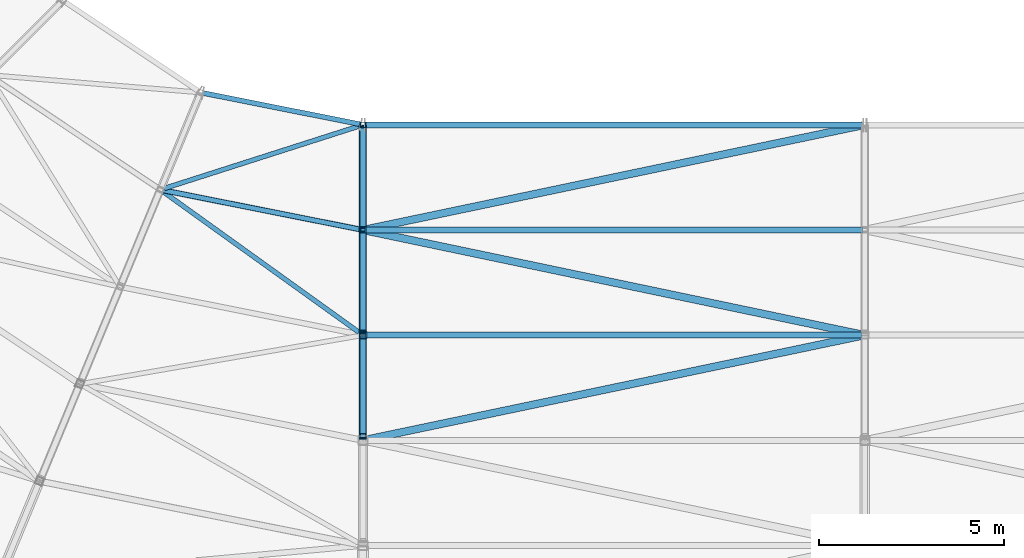
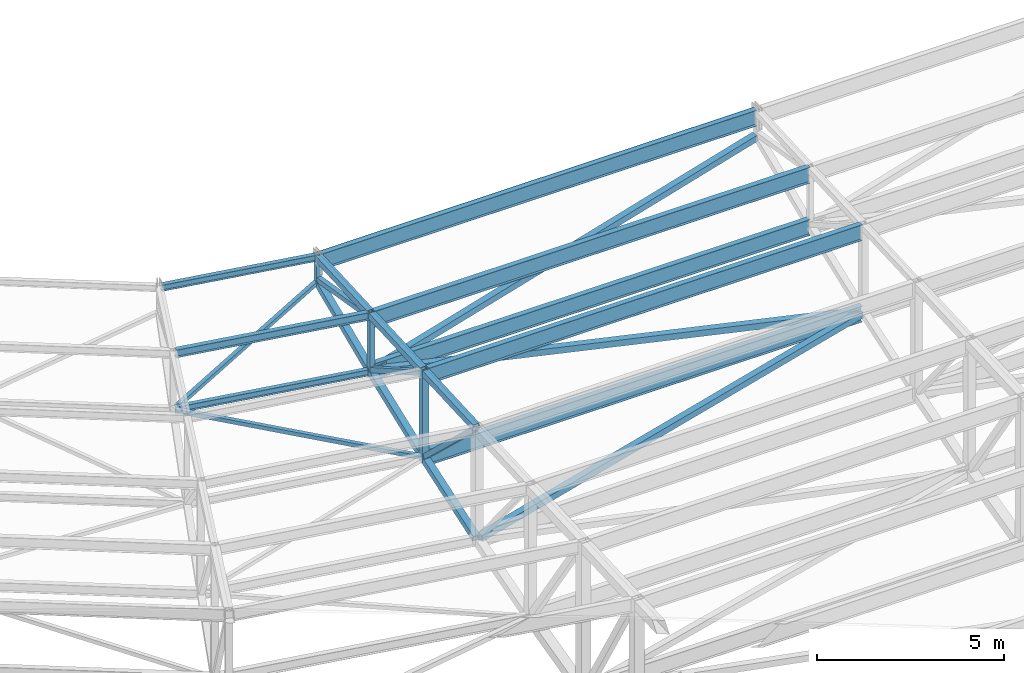
# One storey, part 16 of 278: 16 members, 9 beams.
"""IFC4 building model written with IfcOpenShell, lengths in metres."""

from ifc_helpers import new_model, si_unit, direction, frame, origin, origin_2d, place, context, subcontext, project, spatial, hollow_rectangle, i_section, extrude, material, material_profile, profile_set, type_object, element, save


model = new_model("IFC4")

# Units and contexts
model_context = context("Model", 3, precision=1e-05, world=origin(), true_north=direction((0.0, 1.0)))
body_context = subcontext(model_context, "Body", "Model", "MODEL_VIEW")
ifc_project = project(units=[si_unit("LENGTHUNIT", "METRE"), si_unit("AREAUNIT", "SQUARE_METRE"), si_unit("VOLUMEUNIT", "CUBIC_METRE"), si_unit("PLANEANGLEUNIT", "RADIAN"), si_unit("MASSUNIT", "GRAM", prefix="KILO")], contexts=[model_context])

# Site, building, storey
site_placement = place(None, origin())
site = spatial("IfcSite", under=ifc_project, at=site_placement, CompositionType="ELEMENT")
building_placement = place(site_placement, origin())
building = spatial("IfcBuilding", under=site, at=building_placement, Name="Ogive Plaza Stadium", CompositionType="ELEMENT")
storey_placement = place(building_placement, frame((0.0, 0.0, 29.0)))
storey = spatial("IfcBuildingStorey", under=building, at=storey_placement, Name="Roof", CompositionType="ELEMENT", Elevation=29.0)

# Members
ifc_material_1 = material(Name="Steel ASTM A500 Grade C", Category="steel")
ifc_material_profile_1 = material_profile(ifc_material_1, hollow_rectangle(XDim=0.126953125, YDim=0.126953125, WallThickness=0.005859375, at=origin_2d()), Name="HSS5X5X1/4")
ifc_profile_set_1 = profile_set([ifc_material_profile_1], Name="Steel ASTM A500 Grade C")
member_type_1 = type_object("IfcMemberType", Name="Roof plan brace HSS5X5X1/4", PredefinedType="BRACE", material=ifc_profile_set_1)
member_1_placement = place(storey_placement, frame((-34.06689453125, -64.021484375, 6.51171875), z_axis=(-0.931756186308, -0.298211703001, -0.207123609157), x_axis=(0.304821831197, -0.952409392659, 0.0)))
element("IfcMember", 1, at=member_1_placement, inside=storey, type_object=member_type_1, Name="ROOF BRACE B17 1", PredefinedType="BRACE", context=body_context, shape_type="SweptSolid", body=[
    extrude(hollow_rectangle(XDim=0.126953125, YDim=0.126953125, WallThickness=0.005859375, at=origin_2d()), origin(), (0.0, 0.0, 1.0), 5.695556640625),
])
member_2_placement = place(storey_placement, frame((-39.440185546875, -65.79443359375, 5.295654296875), z_axis=(0.801941815002, -0.575714451742, -0.15950609834), x_axis=(0.583180950598, 0.812342279375, 0.0)))
element("IfcMember", 2, at=member_2_placement, inside=storey, type_object=member_type_1, Name="ROOF BRACE B17 2", PredefinedType="BRACE", context=body_context, shape_type="SweptSolid", body=[
    extrude(hollow_rectangle(XDim=0.126953125, YDim=0.126953125, WallThickness=0.005859375, at=origin_2d()), origin(), (0.0, 0.0, 1.0), 6.641357421875),
])
ifc_material_2 = material(Name="Steel ASTM A500 Grade C", Category="steel")
ifc_material_profile_2 = material_profile(ifc_material_2, hollow_rectangle(XDim=0.203125, YDim=0.203125, WallThickness=0.0087890625, at=origin_2d()), Name="HSS8X8X3/8")
ifc_profile_set_2 = profile_set([ifc_material_profile_2], Name="Steel ASTM A500 Grade C")
member_type_2 = type_object("IfcMemberType", Name="Roof plan brace HSS8X8X3/8", PredefinedType="BRACE", material=ifc_profile_set_2)
member_3_placement = place(storey_placement, frame((-20.4677734375, -64.01416015625, 6.5205078125), z_axis=(-0.974983402681, -0.204327358854, -0.087508256301), x_axis=(0.205114219191, -0.978738043138, 0.0)))
element("IfcMember", 3, at=member_3_placement, inside=storey, type_object=member_type_2, Name="ROOF BRACE B16 1", PredefinedType="BRACE", context=body_context, shape_type="SweptSolid", body=[
    extrude(hollow_rectangle(XDim=0.203125, YDim=0.203125, WallThickness=0.0087890625, at=origin_2d()), origin(), (0.0, 0.0, 1.0), 13.81005859375),
])
member_4_placement = place(storey_placement, frame((-33.932373046875, -66.8642578125, 5.30029296875), z_axis=(0.975733868402, -0.204463279961, -0.078346571082), x_axis=(0.205093700418, 0.978742343035, 0.0)))
element("IfcMember", 4, at=member_4_placement, inside=storey, type_object=member_type_2, Name="ROOF BRACE B16 2", PredefinedType="BRACE", context=body_context, shape_type="SweptSolid", body=[
    extrude(hollow_rectangle(XDim=0.203125, YDim=0.203125, WallThickness=0.0087890625, at=origin_2d()), origin(), (0.0, 0.0, 1.0), 13.7734375),
])
member_5_placement = place(storey_placement, frame((-20.4931640625, -69.719482421875, 4.207275390625), z_axis=(-0.976515317582, -0.204641125651, -0.067378366106), x_axis=(0.205107232709, -0.97873950727, 0.0)))
element("IfcMember", 5, at=member_5_placement, inside=storey, type_object=member_type_2, Name="ROOF BRACE B16 3", PredefinedType="BRACE", context=body_context, shape_type="SweptSolid", body=[
    extrude(hollow_rectangle(XDim=0.203125, YDim=0.203125, WallThickness=0.0087890625, at=origin_2d()), origin(), (0.0, 0.0, 1.0), 13.736328125),
])
ifc_material_3 = material(Name="Steel ASTM A992 Grade 50", Category="steel")
ifc_material_profile_3 = material_profile(ifc_material_3, i_section(OverallWidth=0.1650390625, OverallDepth=0.524658203125, WebThickness=0.0087890625, FlangeThickness=0.011474609375, at=origin_2d()), Name="W21X44")
ifc_profile_set_3 = profile_set([ifc_material_profile_3], Name="Steel ASTM A992 Grade 50")
member_type_3 = type_object("IfcMemberType", Name="Roof plan strut W21X44", PredefinedType="STRUT", material=ifc_profile_set_3)
member_6_placement = place(storey_placement, frame((-20.4462890625, -66.85009765625, 5.305908203125), z_axis=(-1.0, 0.0, 0.0), x_axis=(0.0, -1.0, 0.0)))
element("IfcMember", 6, at=member_6_placement, inside=storey, type_object=member_type_3, Name="ROOF STRUT B16 1", PredefinedType="STRUT", context=body_context, shape_type="SweptSolid", body=[
    extrude(i_section(OverallWidth=0.1650390625, OverallDepth=0.524658203125, WebThickness=0.0087890625, FlangeThickness=0.011474609375, at=origin_2d()), origin(), (0.0, 0.0, 1.0), 13.507568359375),
])
member_7_placement = place(storey_placement, frame((-20.4716796875, -69.699951171875, 4.213623046875), z_axis=(-1.0, 0.0, 0.0), x_axis=(0.0, -1.0, 0.0)))
element("IfcMember", 7, at=member_7_placement, inside=storey, type_object=member_type_3, Name="ROOF STRUT B16 2", PredefinedType="STRUT", context=body_context, shape_type="SweptSolid", body=[
    extrude(i_section(OverallWidth=0.1650390625, OverallDepth=0.524658203125, WebThickness=0.0087890625, FlangeThickness=0.011474609375, at=origin_2d()), origin(), (0.0, 0.0, 1.0), 13.456787109375),
])
ifc_material_4 = material(Name="Steel ASTM A992 Grade 50", Category="steel")
ifc_material_profile_4 = material_profile(ifc_material_4, i_section(OverallWidth=0.13330078125, OverallDepth=0.206787109375, WebThickness=0.005859375, FlangeThickness=0.00830078125, at=origin_2d()), Name="W8X18")
ifc_profile_set_4 = profile_set([ifc_material_profile_4], Name="Steel ASTM A992 Grade 50")
member_type_4 = type_object("IfcMemberType", Name="Roof plan strut W8X18", PredefinedType="STRUT", material=ifc_profile_set_4)
member_8_placement = place(storey_placement, frame((-34.059814453125, -66.838134765625, 5.305908203125), z_axis=(-0.980782455646, 0.195104522491, 0.0), x_axis=(-0.195104522491, -0.980782455646, 0.0)))
element("IfcMember", 8, at=member_8_placement, inside=storey, type_object=member_type_4, Name="ROOF STRUT B17 1", PredefinedType="STRUT", context=body_context, shape_type="SweptSolid", body=[
    extrude(i_section(OverallWidth=0.13330078125, OverallDepth=0.206787109375, WebThickness=0.005859375, FlangeThickness=0.00830078125, at=origin_2d()), origin(), (0.0, 0.0, 1.0), 5.47705078125),
])
ifc_material_5 = material(Name="Steel ASTM A992 Grade 50", Category="steel")
ifc_material_profile_5 = material_profile(ifc_material_5, i_section(OverallWidth=0.14599609375, OverallDepth=0.25830078125, WebThickness=0.006103515625, FlangeThickness=0.009033203125, at=origin_2d()), Name="W10X22")
ifc_profile_set_5 = profile_set([ifc_material_profile_5], Name="Steel ASTM A992 Grade 50")
member_type_5 = type_object("IfcMemberType", Name="Roof purlin W10X22", PredefinedType="PURLIN", material=ifc_profile_set_5)
member_9_placement = place(storey_placement, frame((-34.06103515625, -66.837890625, 7.1533203125), z_axis=(-0.980782547175, 0.195104062379, 0.0), x_axis=(-0.195104062379, -0.980782547175, 0.0)))
element("IfcMember", 9, at=member_9_placement, inside=storey, type_object=member_type_5, Name="ROOF PURLIN B17 1", PredefinedType="PURLIN", context=body_context, shape_type="SweptSolid", body=[
    extrude(i_section(OverallWidth=0.14599609375, OverallDepth=0.25830078125, WebThickness=0.006103515625, FlangeThickness=0.009033203125, at=origin_2d()), origin(), (0.0, 0.0, 1.0), 5.474609375),
])
ifc_material_6 = material(Name="Steel ASTM A992 Grade 50", Category="steel")
ifc_material_profile_6 = material_profile(ifc_material_6, i_section(OverallWidth=0.1650390625, OverallDepth=0.524658203125, WebThickness=0.0087890625, FlangeThickness=0.011474609375, at=origin_2d()), Name="W21X44")
ifc_profile_set_6 = profile_set([ifc_material_profile_6], Name="Steel ASTM A992 Grade 50")
member_type_6 = type_object("IfcMemberType", Name="Roof purlin W21X44", PredefinedType="PURLIN", material=ifc_profile_set_6)
member_10_placement = place(storey_placement, frame((-20.4462890625, -66.85009765625, 7.02001953125), z_axis=(-1.0, 0.0, 0.0), x_axis=(0.0, -1.0, 0.0)))
element("IfcMember", 10, at=member_10_placement, inside=storey, type_object=member_type_6, Name="ROOF PURLIN B16 1", PredefinedType="PURLIN", context=body_context, shape_type="SweptSolid", body=[
    extrude(i_section(OverallWidth=0.1650390625, OverallDepth=0.524658203125, WebThickness=0.0087890625, FlangeThickness=0.011474609375, at=origin_2d()), origin(), (0.0, 0.0, 1.0), 13.507568359375),
])
member_11_placement = place(storey_placement, frame((-20.4716796875, -69.699951171875, 6.877685546875), z_axis=(-1.0, 0.0, 0.0), x_axis=(0.0, -1.0, 0.0)))
element("IfcMember", 11, at=member_11_placement, inside=storey, type_object=member_type_6, Name="ROOF PURLIN B16 2", PredefinedType="PURLIN", context=body_context, shape_type="SweptSolid", body=[
    extrude(i_section(OverallWidth=0.1650390625, OverallDepth=0.524658203125, WebThickness=0.0087890625, FlangeThickness=0.011474609375, at=origin_2d()), origin(), (0.0, 0.0, 1.0), 13.456787109375),
])
ifc_material_7 = material(Name="Steel ASTM A992 Grade 50", Category="steel")
ifc_material_profile_7 = material_profile(ifc_material_7, i_section(OverallWidth=0.1650390625, OverallDepth=0.524658203125, WebThickness=0.0087890625, FlangeThickness=0.011474609375, at=origin_2d()), Name="W21X44")
ifc_profile_set_7 = profile_set([ifc_material_profile_7], Name="Steel ASTM A992 Grade 50")
member_type_7 = type_object("IfcMemberType", Name="Roof tip ring beam W21X44", PredefinedType="MEMBER", material=ifc_profile_set_7)
member_12_placement = place(storey_placement, frame((-20.4462890625, -64.0, 7.16259765625), z_axis=(-1.0, 0.0, 0.0), x_axis=(0.0, -1.0, 0.0)))
element("IfcMember", 12, at=member_12_placement, inside=storey, type_object=member_type_7, Name="RING BEAM B16", PredefinedType="MEMBER", context=body_context, shape_type="SweptSolid", body=[
    extrude(i_section(OverallWidth=0.1650390625, OverallDepth=0.524658203125, WebThickness=0.0087890625, FlangeThickness=0.011474609375, at=origin_2d()), origin(), (0.0, 0.0, 1.0), 13.507568359375),
])
ifc_material_8 = material(Name="Steel ASTM A992 Grade 50", Category="steel")
ifc_material_profile_8 = material_profile(ifc_material_8, i_section(OverallWidth=0.13330078125, OverallDepth=0.206787109375, WebThickness=0.005859375, FlangeThickness=0.00830078125, at=origin_2d()), Name="W8X18")
ifc_profile_set_8 = profile_set([ifc_material_profile_8], Name="Steel ASTM A992 Grade 50")
member_type_8 = type_object("IfcMemberType", Name="Roof tip ring beam W8X18", PredefinedType="MEMBER", material=ifc_profile_set_8)
member_13_placement = place(storey_placement, frame((-34.059814453125, -63.988037109375, 7.321533203125), z_axis=(-0.980786642434, 0.195083474499, 0.0), x_axis=(-0.195083474499, -0.980786642434, 0.0)))
element("IfcMember", 13, at=member_13_placement, inside=storey, type_object=member_type_8, Name="RING BEAM B17", PredefinedType="MEMBER", context=body_context, shape_type="SweptSolid", body=[
    extrude(i_section(OverallWidth=0.13330078125, OverallDepth=0.206787109375, WebThickness=0.005859375, FlangeThickness=0.00830078125, at=origin_2d()), origin(), (0.0, 0.0, 1.0), 4.365234375),
])

# Beams
ifc_material_9 = material(Name="Steel ASTM A500 Grade C", Category="steel")
ifc_material_profile_9 = material_profile(ifc_material_9, hollow_rectangle(XDim=0.203125, YDim=0.203125, WallThickness=0.01171875, at=origin_2d()), Name="HSS8X8X1/2")
ifc_profile_set_9 = profile_set([ifc_material_profile_9], Name="Steel ASTM A500 Grade C")
beam_type_1 = type_object("IfcBeamType", Name="Roof truss bottom chord HSS8X8X1/2", PredefinedType="BEAM", material=ifc_profile_set_9)
beam_1_placement = place(storey_placement, frame((-34.0, -64.0400390625, 6.518310546875), z_axis=(0.0, -0.919215459426, -0.393754922702), x_axis=(1.0, 0.0, 0.0)))
element("IfcBeam", 14, at=beam_1_placement, inside=storey, type_object=beam_type_1, Name="ROOF TRUSS T17 BOTTOM CHORD 1", PredefinedType="BEAM", context=body_context, shape_type="SweptSolid", body=[
    extrude(hollow_rectangle(XDim=0.203125, YDim=0.203125, WallThickness=0.01171875, at=origin_2d()), origin(), (0.0, 0.0, 1.0), 3.04736328125),
])
beam_2_placement = place(storey_placement, frame((-34.0, -66.886474609375, 5.299072265625), z_axis=(0.0, -0.933780874892, -0.357845326484), x_axis=(1.0, 0.0, 0.0)))
element("IfcBeam", 15, at=beam_2_placement, inside=storey, type_object=beam_type_1, Name="ROOF TRUSS T17 BOTTOM CHORD 2", PredefinedType="BEAM", context=body_context, shape_type="SweptSolid", body=[
    extrude(hollow_rectangle(XDim=0.203125, YDim=0.203125, WallThickness=0.01171875, at=origin_2d()), origin(), (0.0, 0.0, 1.0), 2.97314453125),
])
beam_3_placement = place(storey_placement, frame((-34.0, -69.74072265625, 4.20556640625), z_axis=(0.0, -0.947299736415, -0.320348574817), x_axis=(1.0, 0.0, 0.0)))
element("IfcBeam", 16, at=beam_3_placement, inside=storey, type_object=beam_type_1, Name="ROOF TRUSS T17 BOTTOM CHORD 3", PredefinedType="BEAM", context=body_context, shape_type="SweptSolid", body=[
    extrude(hollow_rectangle(XDim=0.203125, YDim=0.203125, WallThickness=0.01171875, at=origin_2d()), origin(), (0.0, 0.0, 1.0), 2.912841796875),
])

# Members
ifc_material_10 = material(Name="Steel ASTM A500 Grade C", Category="steel")
ifc_material_profile_10 = material_profile(ifc_material_10, hollow_rectangle(XDim=0.15234375, YDim=0.15234375, WallThickness=0.005859375, at=origin_2d()), Name="HSS6X6X1/4")
ifc_profile_set_10 = profile_set([ifc_material_profile_10], Name="Steel ASTM A500 Grade C")
member_type_9 = type_object("IfcMemberType", Name="Roof truss diagonal HSS6X6X1/4", PredefinedType="BRACE", material=ifc_profile_set_10)
member_14_placement = place(storey_placement, frame((-34.0, -64.076171875, 6.628173828125), z_axis=(0.0, -0.986299671123, 0.164963507307), x_axis=(1.0, 0.0, 0.0)))
element("IfcMember", 17, at=member_14_placement, inside=storey, type_object=member_type_9, Name="ROOF TRUSS T17 DIAGONAL 1", PredefinedType="BRACE", context=body_context, shape_type="SweptSolid", body=[
    extrude(hollow_rectangle(XDim=0.15234375, YDim=0.15234375, WallThickness=0.005859375, at=origin_2d()), origin(), (0.0, 0.0, 1.0), 2.73486328125),
])
member_15_placement = place(storey_placement, frame((-34.0, -66.92626953125, 5.407470703125), z_axis=(0.0, -0.8679111184, 0.496719529069), x_axis=(1.0, 0.0, 0.0)))
element("IfcMember", 18, at=member_15_placement, inside=storey, type_object=member_type_9, Name="ROOF TRUSS T17 DIAGONAL 2", PredefinedType="BRACE", context=body_context, shape_type="SweptSolid", body=[
    extrude(hollow_rectangle(XDim=0.15234375, YDim=0.15234375, WallThickness=0.005859375, at=origin_2d()), origin(), (0.0, 0.0, 1.0), 3.078857421875),
])
ifc_material_11 = material(Name="Steel ASTM A500 Grade C", Category="steel")
ifc_material_profile_11 = material_profile(ifc_material_11, hollow_rectangle(XDim=0.15234375, YDim=0.15234375, WallThickness=0.0087890625, at=origin_2d()), Name="HSS6X6X3/8")
ifc_profile_set_11 = profile_set([ifc_material_profile_11], Name="Steel ASTM A500 Grade C")
member_type_10 = type_object("IfcMemberType", Name="Roof truss diagonal HSS6X6X3/8", PredefinedType="BRACE", material=ifc_profile_set_11)
member_16_placement = place(storey_placement, frame((-34.0, -69.801513671875, 4.315185546875), z_axis=(0.0, -0.726588919749, 0.687072442832), x_axis=(1.0, 0.0, 0.0)))
element("IfcMember", 19, at=member_16_placement, inside=storey, type_object=member_type_10, Name="ROOF TRUSS T17 DIAGONAL 3", PredefinedType="BRACE", context=body_context, shape_type="SweptSolid", body=[
    extrude(hollow_rectangle(XDim=0.15234375, YDim=0.15234375, WallThickness=0.0087890625, at=origin_2d()), origin(), (0.0, 0.0, 1.0), 3.608154296875),
])

# Beams
ifc_material_12 = material(Name="Steel ASTM A500 Grade C", Category="steel")
ifc_material_profile_12 = material_profile(ifc_material_12, hollow_rectangle(XDim=0.15234375, YDim=0.15234375, WallThickness=0.0087890625, at=origin_2d()), Name="HSS6X6X3/8")
ifc_profile_set_12 = profile_set([ifc_material_profile_12], Name="Steel ASTM A500 Grade C")
beam_type_2 = type_object("IfcBeamType", Name="Roof truss post HSS6X6X3/8", PredefinedType="BEAM", material=ifc_profile_set_12)
beam_4_placement = place(storey_placement, frame((-34.0, -64.0, 6.425048828125), z_axis=(0.0, 0.0, 1.0), x_axis=(1.0, 0.0, 0.0)))
element("IfcBeam", 20, at=beam_4_placement, inside=storey, type_object=beam_type_2, Name="ROOF TRUSS T17 POST 1", PredefinedType="BEAM", context=body_context, shape_type="SweptSolid", body=[
    extrude(hollow_rectangle(XDim=0.15234375, YDim=0.15234375, WallThickness=0.0087890625, at=origin_2d()), origin(), (0.0, 0.0, 1.0), 1.0),
])
beam_5_placement = place(storey_placement, frame((-34.0, -66.85009765625, 5.204345703125), z_axis=(0.0, 0.0, 1.0), x_axis=(1.0, 0.0, 0.0)))
element("IfcBeam", 21, at=beam_5_placement, inside=storey, type_object=beam_type_2, Name="ROOF TRUSS T17 POST 2", PredefinedType="BEAM", context=body_context, shape_type="SweptSolid", body=[
    extrude(hollow_rectangle(XDim=0.15234375, YDim=0.15234375, WallThickness=0.0087890625, at=origin_2d()), origin(), (0.0, 0.0, 1.0), 2.078125),
])
ifc_material_13 = material(Name="Steel ASTM A500 Grade C", Category="steel")
ifc_material_profile_13 = material_profile(ifc_material_13, hollow_rectangle(XDim=0.203125, YDim=0.203125, WallThickness=0.0087890625, at=origin_2d()), Name="HSS8X8X3/8")
ifc_profile_set_13 = profile_set([ifc_material_profile_13], Name="Steel ASTM A500 Grade C")
beam_type_3 = type_object("IfcBeamType", Name="Roof truss post HSS8X8X3/8", PredefinedType="BEAM", material=ifc_profile_set_13)
beam_6_placement = place(storey_placement, frame((-34.0, -69.699951171875, 4.112060546875), z_axis=(0.0, 0.0, 1.0), x_axis=(1.0, 0.0, 0.0)))
element("IfcBeam", 22, at=beam_6_placement, inside=storey, type_object=beam_type_3, Name="ROOF TRUSS T17 POST 3", PredefinedType="BEAM", context=body_context, shape_type="SweptSolid", body=[
    extrude(hollow_rectangle(XDim=0.203125, YDim=0.203125, WallThickness=0.0087890625, at=origin_2d()), origin(), (0.0, 0.0, 1.0), 3.02783203125),
])
ifc_material_14 = material(Name="Steel ASTM A500 Grade C", Category="steel")
ifc_material_profile_14 = material_profile(ifc_material_14, hollow_rectangle(XDim=0.203125, YDim=0.203125, WallThickness=0.0087890625, at=origin_2d()), Name="HSS8X8X3/8")
ifc_profile_set_14 = profile_set([ifc_material_profile_14], Name="Steel ASTM A500 Grade C")
beam_type_4 = type_object("IfcBeamType", Name="Roof truss top chord HSS8X8X3/8", PredefinedType="BEAM", material=ifc_profile_set_14)
beam_7_placement = place(storey_placement, frame((-34.0, -64.041259765625, 7.3212890625), z_axis=(0.0, -0.998751459876, -0.049955193873), x_axis=(1.0, 0.0, 0.0)))
element("IfcBeam", 23, at=beam_7_placement, inside=storey, type_object=beam_type_4, Name="ROOF TRUSS T17 TOP CHORD 1", PredefinedType="BEAM", context=body_context, shape_type="SweptSolid", body=[
    extrude(hollow_rectangle(XDim=0.203125, YDim=0.203125, WallThickness=0.0087890625, at=origin_2d()), origin(), (0.0, 0.0, 1.0), 2.77099609375),
])
beam_8_placement = place(storey_placement, frame((-34.0, -66.89111328125, 7.1787109375), z_axis=(0.0, -0.998752338878, -0.049937616944), x_axis=(1.0, 0.0, 0.0)))
element("IfcBeam", 24, at=beam_8_placement, inside=storey, type_object=beam_type_4, Name="ROOF TRUSS T17 TOP CHORD 2", PredefinedType="BEAM", context=body_context, shape_type="SweptSolid", body=[
    extrude(hollow_rectangle(XDim=0.203125, YDim=0.203125, WallThickness=0.0087890625, at=origin_2d()), origin(), (0.0, 0.0, 1.0), 2.76220703125),
])
beam_9_placement = place(storey_placement, frame((-34.0, -69.75, 7.035888671875), z_axis=(0.0, -0.998748798523, -0.05000837379), x_axis=(1.0, 0.0, 0.0)))
element("IfcBeam", 25, at=beam_9_placement, inside=storey, type_object=beam_type_4, Name="ROOF TRUSS T17 TOP CHORD 3", PredefinedType="BEAM", context=body_context, shape_type="SweptSolid", body=[
    extrude(hollow_rectangle(XDim=0.203125, YDim=0.203125, WallThickness=0.0087890625, at=origin_2d()), origin(), (0.0, 0.0, 1.0), 2.75341796875),
])

save(model, "model.ifc")
